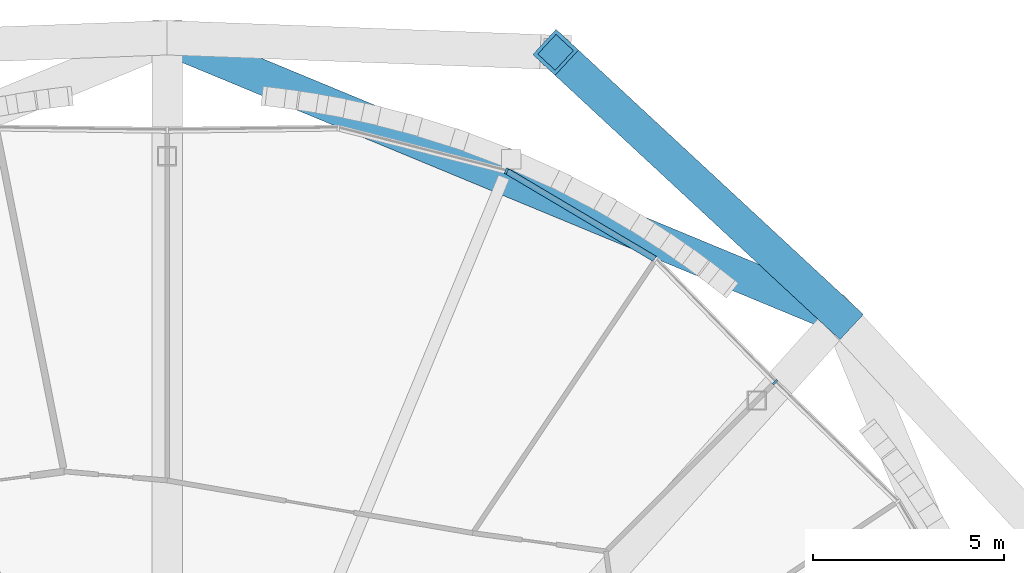
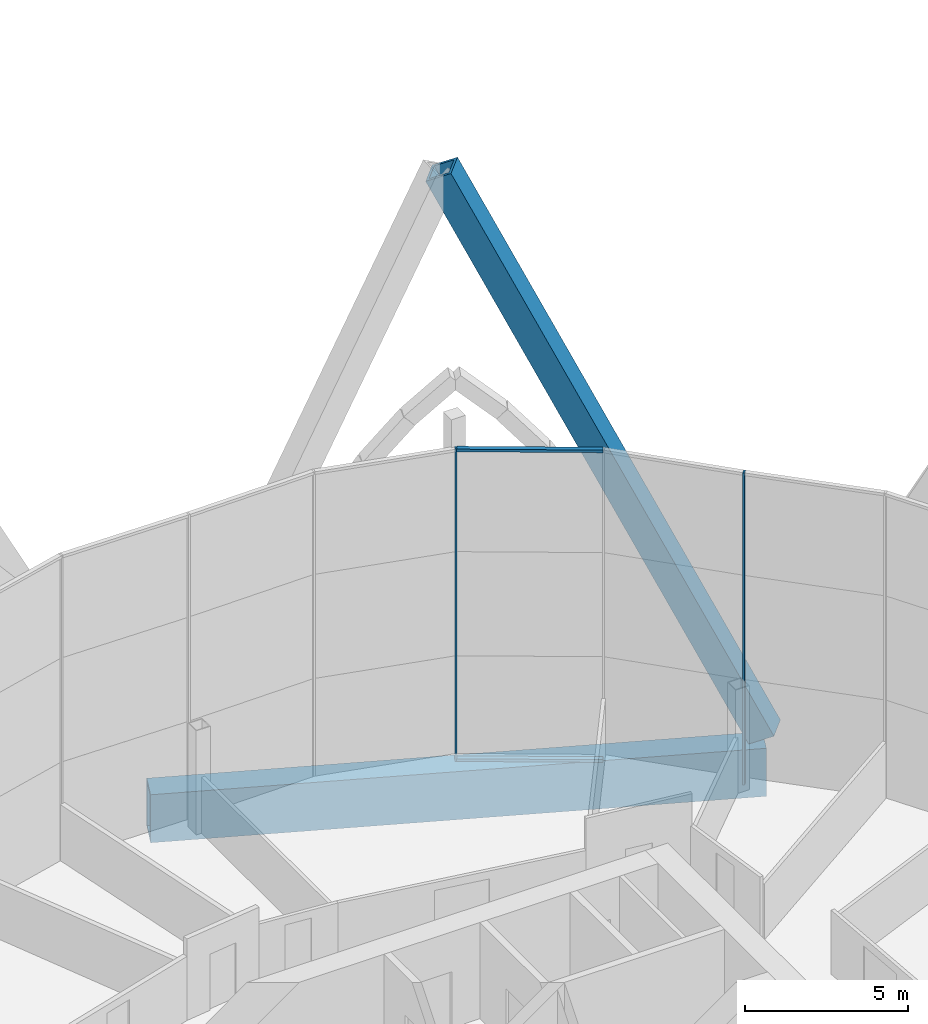
# One storey, part 13 of 37: 5 members, 1 beam, 2 elements without a shape of their own.
"""IFC4 building model written with IfcOpenShell, lengths in metres."""

from ifc_helpers import new_model, si_unit, direction, frame, origin, origin_2d, place, context, subcontext, project, spatial, rectangle, hollow_rectangle, extrude, material, material_profile, profile_set, type_object, element, aggregate, save


model = new_model("IFC4")

# Units and contexts
model_context = context("Model", 3, precision=1e-05, world=origin(), true_north=direction((0.0, 1.0)))
body_context = subcontext(model_context, "Body", "Model", "MODEL_VIEW")
ifc_project = project(units=[si_unit("LENGTHUNIT", "METRE"), si_unit("AREAUNIT", "SQUARE_METRE"), si_unit("VOLUMEUNIT", "CUBIC_METRE"), si_unit("PLANEANGLEUNIT", "RADIAN"), si_unit("MASSUNIT", "GRAM", prefix="KILO")], contexts=[model_context])

# Site, building, storey
site_placement = place(None, origin())
site = spatial("IfcSite", under=ifc_project, at=site_placement, CompositionType="ELEMENT")
building_placement = place(site_placement, origin())
building = spatial("IfcBuilding", under=site, at=building_placement, Name="Ogive Gate Towers", CompositionType="ELEMENT")
storey_placement = place(building_placement, frame((0.0, 0.0, 32.39990234375)))
storey = spatial("IfcBuildingStorey", under=building, at=storey_placement, Name="L06", CompositionType="ELEMENT", Elevation=32.39990234375)

# Member
ifc_material_1 = material(Name="Steel SM460", Category="steel")
ifc_material_profile_1 = material_profile(ifc_material_1, hollow_rectangle(XDim=0.89990234375, YDim=0.89990234375, WallThickness=0.10009765625, at=origin_2d()), Name="BX 900x900x100")
ifc_profile_set_1 = profile_set([ifc_material_profile_1], Name="Steel SM460")
member_type_1 = type_object("IfcMemberType", Name="Diagrid diagonal BX 900x900x100", PredefinedType="BRACE", material=ifc_profile_set_1)
member_1_placement = place(storey_placement, frame((-18.385986328125, 17.614013671875, 0.0), z_axis=(-0.338942066201, 0.31444089886, 0.886704684144), x_axis=(-0.68011301839, -0.733107278791, 0.0)))
element("IfcMember", 1, at=member_1_placement, inside=storey, type_object=member_type_1, Name="T1/L06/SDG004", PredefinedType="BRACE", context=body_context, shape_type="SweptSolid", body=[
    extrude(hollow_rectangle(XDim=0.89990234375, YDim=0.89990234375, WallThickness=0.10009765625, at=origin_2d()), origin(), (0.0, 0.0, 1.0), 21.991455078125),
])

# Beam
ifc_material_profile_2 = material_profile(ifc_material_1, hollow_rectangle(XDim=0.89990234375, YDim=1.800048828125, WallThickness=0.080078125, at=origin_2d()), Name="BX 1800x900x80")
ifc_profile_set_2 = profile_set([ifc_material_profile_2], Name="Steel SM460")
beam_type = type_object("IfcBeamType", Name="Edge girder BX 1800x900x80", PredefinedType="BEAM", material=ifc_profile_set_2)
beam_placement = place(storey_placement, frame((-18.385986328125, 17.614013671875, -1.199951171875), z_axis=(-0.923880736283, 0.382680526191, 0.0), x_axis=(-0.382680526191, -0.923880736283, 0.0)))
element("IfcBeam", 2, at=beam_placement, inside=storey, type_object=beam_type, Name="T1/L06/SBM021", PredefinedType="BEAM", context=body_context, shape_type="SweptSolid", body=[
    extrude(hollow_rectangle(XDim=0.89990234375, YDim=1.800048828125, WallThickness=0.080078125, at=origin_2d()), origin(), (0.0, 0.0, 1.0), 19.065185546875),
])

# Curtain wall, member
ifc_material_2 = material(Name="Pale metal aluminium", Category="aluminium")
curtain_wall_type = type_object("IfcCurtainWallType", Name="Tower unitised wall, low zone", PredefinedType="NOTDEFINED", material=ifc_material_2)
curtain_wall_1_placement = place(storey_placement, origin())
curtain_wall_1 = element("IfcCurtainWall", 3, at=curtain_wall_1_placement, inside=storey, type_object=curtain_wall_type, Name="CW1 T1 ECW01", PredefinedType="NOTDEFINED")
ifc_material_profile_3 = material_profile(ifc_material_2, rectangle(XDim=0.159912109375, YDim=0.06005859375, at=origin_2d()), Name="60 x 160 aluminium box")
ifc_profile_set_3 = profile_set([ifc_material_profile_3], Name="Pale metal aluminium")
member_type_2 = type_object("IfcMemberType", Name="Tower unitised wall, low zone mullion 60 x 160", PredefinedType="MULLION", material=ifc_profile_set_3)
member_2_placement = place(storey_placement, frame((-20.096923828125, 15.902587890625, -0.2998046875), z_axis=(0.0, 0.0, 1.0), x_axis=(0.697590403399, 0.716496775349, 0.0)))
member_2 = element("IfcMember", 4, at=member_2_placement, type_object=member_type_2, Name="CW1 mullion", PredefinedType="MULLION", context=body_context, shape_type="SweptSolid", body=[
    extrude(rectangle(XDim=0.159912109375, YDim=0.06005859375, at=origin_2d()), origin(), (0.0, 0.0, 1.0), 11.699951171875),
])
aggregate(curtain_wall_1, [member_2])

# Curtain wall, members
curtain_wall_2_placement = place(storey_placement, origin())
curtain_wall_2 = element("IfcCurtainWall", 5, at=curtain_wall_2_placement, inside=storey, type_object=curtain_wall_type, Name="CW1 T1 ECW02", PredefinedType="NOTDEFINED")
member_3_placement = place(storey_placement, frame((-27.125244140625, 21.42578125, -0.2998046875), z_axis=(0.0, 0.0, 1.0), x_axis=(0.382683432365, 0.923879532511, 0.0)))
member_3 = element("IfcMember", 6, at=member_3_placement, type_object=member_type_2, Name="CW1 mullion", PredefinedType="MULLION", context=body_context, shape_type="SweptSolid", body=[
    extrude(rectangle(XDim=0.159912109375, YDim=0.06005859375, at=origin_2d()), origin(), (0.0, 0.0, 1.0), 11.699951171875),
])
ifc_material_profile_4 = material_profile(ifc_material_2, rectangle(XDim=0.159912109375, YDim=0.10009765625, at=origin_2d()), Name="100 x 160 aluminium box")
ifc_profile_set_4 = profile_set([ifc_material_profile_4], Name="Pale metal aluminium")
member_type_3 = type_object("IfcMemberType", Name="Tower unitised wall, low zone transom 100 x 160", PredefinedType="USERDEFINED", material=ifc_profile_set_4)
member_4_placement = place(storey_placement, frame((-23.24560546875, 19.126220703125, 11.35009765625), z_axis=(-0.860267645697, 0.509842699042, 0.0), x_axis=(-0.509842699042, -0.860267645697, 0.0)))
member_4 = element("IfcMember", 7, at=member_4_placement, type_object=member_type_3, Name="CW1 transom", ObjectType="TRANSOM", PredefinedType="USERDEFINED", context=body_context, shape_type="SweptSolid", body=[
    extrude(rectangle(XDim=0.159912109375, YDim=0.10009765625, at=origin_2d()), origin(), (0.0, 0.0, 1.0), 4.482666015625),
])
member_5_placement = place(storey_placement, frame((-23.24560546875, 19.126220703125, -0.25), z_axis=(-0.860267645697, 0.509842699042, 0.0), x_axis=(-0.509842699042, -0.860267645697, 0.0)))
member_5 = element("IfcMember", 8, at=member_5_placement, type_object=member_type_3, Name="CW1 transom", ObjectType="TRANSOM", PredefinedType="USERDEFINED", context=body_context, shape_type="SweptSolid", body=[
    extrude(rectangle(XDim=0.159912109375, YDim=0.10009765625, at=origin_2d()), origin(), (0.0, 0.0, 1.0), 4.482666015625),
])
aggregate(curtain_wall_2, [member_3, member_4, member_5])

save(model, "model.ifc")
